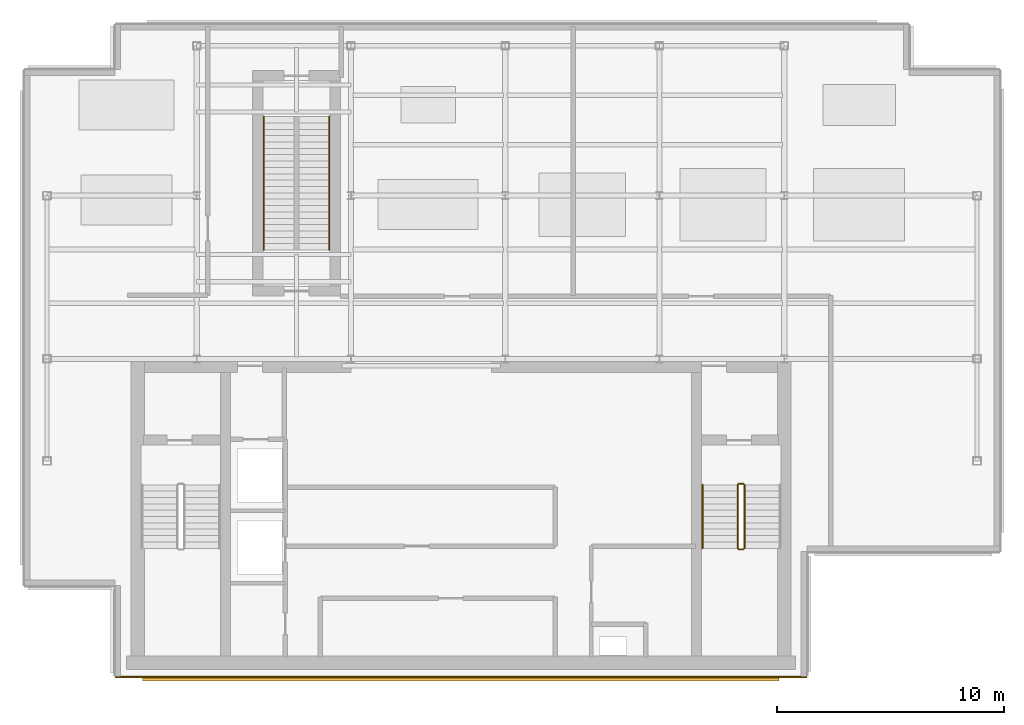
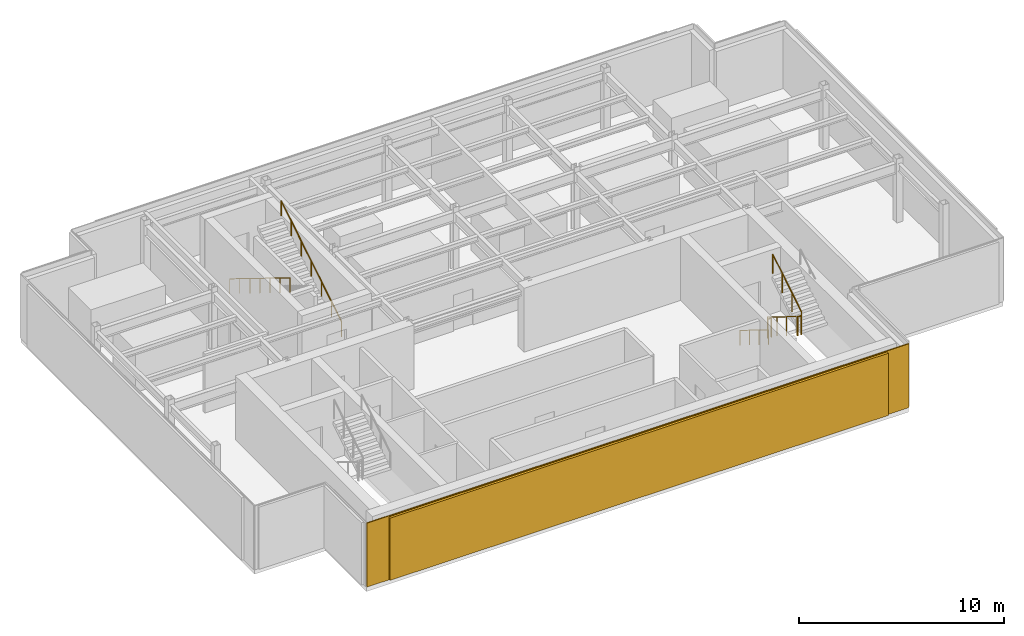
# One storey, part 5 of 7: 7 railings, 1 covering, 1 shading device.
"""IFC4 building model written with IfcOpenShell, lengths in metres."""

from ifc_helpers import new_model, si_unit, derived_unit, direction, frame, origin, origin_2d, place, context, subcontext, project, spatial, rectangle, circle, extrude, source, transform, mapped, material, layer, layer_set, type_object, element, save


model = new_model("IFC4")

# Units and contexts
model_context = context("Model", 3, precision=1e-05, world=origin(), true_north=direction((0.0, 1.0)))
body_context = subcontext(model_context, "Body", "Model", "MODEL_VIEW")
ifc_project = project(units=[si_unit("LENGTHUNIT", "METRE"), si_unit("AREAUNIT", "SQUARE_METRE"), si_unit("VOLUMEUNIT", "CUBIC_METRE"), si_unit("PLANEANGLEUNIT", "RADIAN"), si_unit("MASSUNIT", "GRAM", prefix="KILO"), derived_unit("THERMALTRANSMITTANCEUNIT", [(si_unit("POWERUNIT", "WATT"), 1), (si_unit("LENGTHUNIT", "METRE"), -2), (si_unit("THERMODYNAMICTEMPERATUREUNIT", "KELVIN"), -1)])], contexts=[model_context])

# Site, building, storey
site_placement = place(None, origin())
site = spatial("IfcSite", under=ifc_project, at=site_placement, CompositionType="ELEMENT")
building_placement = place(site_placement, origin())
building = spatial("IfcBuilding", under=site, at=building_placement, Name="Skarnbrae Concourse Arena and Tower", CompositionType="ELEMENT")
storey_placement = place(building_placement, frame((0.0, 0.0, 299.85009765625)))
storey = spatial("IfcBuildingStorey", under=building, at=storey_placement, Name="L78", CompositionType="ELEMENT", Elevation=299.85009765625)

# Railings
ifc_material_1 = material(Name="Steel CSA G40.21 350W", Category="steel")
railing_type_1 = type_object("IfcRailingType", Name="RAIL-HANDRAIL-900", PredefinedType="HANDRAIL", material=ifc_material_1)
railing_1_placement = place(storey_placement, frame((29.89990234375, 8.449951171875, 0.172607421875)))
element("IfcRailing", 1, at=railing_1_placement, inside=storey, type_object=railing_type_1, Name="L78 ST-2 stair handrail 1", PredefinedType="HANDRAIL", context=body_context, shape_type="SweptSolid", body=[
    extrude(circle(Radius=0.02392578125, at=origin_2d()), frame((0.0, 0.0, 0.8759765625), z_axis=(0.0, -0.851089632645, 0.525020415988), x_axis=(1.0, 0.0, 0.0)), (0.0, 0.0, 1.0), 3.2900390625),
    extrude(circle(Radius=0.02099609375, at=origin_2d()), origin(), (0.0, 0.0, 1.0), 0.851806640625),
    extrude(circle(Radius=0.02099609375, at=origin_2d()), frame((0.0, -0.933349609375, 0.57568359375)), (0.0, 0.0, 1.0), 0.851806640625),
    extrude(circle(Radius=0.02099609375, at=origin_2d()), frame((0.0, -1.86669921875, 1.151611328125)), (0.0, 0.0, 1.0), 0.851806640625),
    extrude(circle(Radius=0.02099609375, at=origin_2d()), frame((0.0, -2.800048828125, 1.727294921875)), (0.0, 0.0, 1.0), 0.851806640625),
])
railing_2_placement = place(storey_placement, frame((13.449951171875, 18.800048828125, 0.172607421875)))
element("IfcRailing", 2, at=railing_2_placement, inside=storey, type_object=railing_type_1, Name="L78 ST-CRWN stair handrail 1", PredefinedType="HANDRAIL", context=body_context, shape_type="SweptSolid", body=[
    extrude(circle(Radius=0.02392578125, at=origin_2d()), frame((0.0, 0.0, 0.8759765625), z_axis=(0.0, 0.851088761127, 0.525021828769), x_axis=(-1.0, 0.0, 0.0)), (0.0, 0.0, 1.0), 6.90869140625),
    extrude(circle(Radius=0.02099609375, at=origin_2d()), origin(), (0.0, 0.0, 1.0), 0.851806640625),
    extrude(circle(Radius=0.02099609375, at=origin_2d()), frame((0.0, 0.97998046875, 0.6044921875)), (0.0, 0.0, 1.0), 0.851806640625),
    extrude(circle(Radius=0.02099609375, at=origin_2d()), frame((0.0, 1.9599609375, 1.208984375)), (0.0, 0.0, 1.0), 0.851806640625),
    extrude(circle(Radius=0.02099609375, at=origin_2d()), frame((0.0, 2.93994140625, 1.8134765625)), (0.0, 0.0, 1.0), 0.851806640625),
    extrude(circle(Radius=0.02099609375, at=origin_2d()), frame((0.0, 3.919921875, 2.418212890625)), (0.0, 0.0, 1.0), 0.851806640625),
    extrude(circle(Radius=0.02099609375, at=origin_2d()), frame((0.0, 4.89990234375, 3.022705078125)), (0.0, 0.0, 1.0), 0.851806640625),
    extrude(circle(Radius=0.02099609375, at=origin_2d()), frame((0.0, 5.8798828125, 3.627197265625)), (0.0, 0.0, 1.0), 0.851806640625),
])
railing_3_placement = place(storey_placement, frame((10.550048828125, 24.679931640625, 0.172607421875)))
element("IfcRailing", 3, at=railing_3_placement, inside=storey, type_object=railing_type_1, Name="L78 ST-CRWN stair handrail 1", PredefinedType="HANDRAIL", context=body_context, shape_type="SweptSolid", body=[
    extrude(circle(Radius=0.02392578125, at=origin_2d()), frame((0.0, 0.0, 0.8759765625), z_axis=(0.0, -0.851088761127, 0.525021828769), x_axis=(1.0, 0.0, 0.0)), (0.0, 0.0, 1.0), 6.90869140625),
    extrude(circle(Radius=0.02099609375, at=origin_2d()), origin(), (0.0, 0.0, 1.0), 0.851806640625),
    extrude(circle(Radius=0.02099609375, at=origin_2d()), frame((0.0, -0.97998046875, 0.6044921875)), (0.0, 0.0, 1.0), 0.851806640625),
    extrude(circle(Radius=0.02099609375, at=origin_2d()), frame((0.0, -1.9599609375, 1.208984375)), (0.0, 0.0, 1.0), 0.851806640625),
    extrude(circle(Radius=0.02099609375, at=origin_2d()), frame((0.0, -2.93994140625, 1.8134765625)), (0.0, 0.0, 1.0), 0.851806640625),
    extrude(circle(Radius=0.02099609375, at=origin_2d()), frame((0.0, -3.919921875, 2.418212890625)), (0.0, 0.0, 1.0), 0.851806640625),
    extrude(circle(Radius=0.02099609375, at=origin_2d()), frame((0.0, -4.89990234375, 3.022705078125)), (0.0, 0.0, 1.0), 0.851806640625),
    extrude(circle(Radius=0.02099609375, at=origin_2d()), frame((0.0, -5.8798828125, 3.627197265625)), (0.0, 0.0, 1.0), 0.851806640625),
])
railing_type_2 = type_object("IfcRailingType", Name="RAIL-STAIR-GUARD-1150", PredefinedType="GUARDRAIL", material=ifc_material_1)
railing_4_placement = place(storey_placement, frame((31.449951171875, 8.449951171875, 0.172607421875)))
element("IfcRailing", 4, at=railing_4_placement, inside=storey, type_object=railing_type_2, Name="L78 ST-2 stair guard 1", PredefinedType="GUARDRAIL", context=body_context, shape_type="SweptSolid", body=[
    extrude(circle(Radius=0.02392578125, at=origin_2d()), frame((0.0, 0.0, 1.1259765625), z_axis=(0.0, -0.851089632645, 0.525020415988), x_axis=(1.0, 0.0, 0.0)), (0.0, 0.0, 1.0), 3.2900390625),
    extrude(circle(Radius=0.02099609375, at=origin_2d()), origin(), (0.0, 0.0, 1.0), 1.101806640625),
    extrude(circle(Radius=0.02099609375, at=origin_2d()), frame((0.0, -0.933349609375, 0.57568359375)), (0.0, 0.0, 1.0), 1.101806640625),
    extrude(circle(Radius=0.02099609375, at=origin_2d()), frame((0.0, -1.86669921875, 1.151611328125)), (0.0, 0.0, 1.0), 1.101806640625),
    extrude(circle(Radius=0.02099609375, at=origin_2d()), frame((0.0, -2.800048828125, 1.727294921875)), (0.0, 0.0, 1.0), 1.101806640625),
])
railing_5_placement = place(storey_placement, frame((31.5, 5.60009765625, 1.89990234375)))
element("IfcRailing", 5, at=railing_5_placement, inside=storey, type_object=railing_type_2, Name="L78 ST-2 stair guard 2", PredefinedType="GUARDRAIL", context=body_context, shape_type="SweptSolid", body=[
    extrude(circle(Radius=0.02392578125, at=origin_2d()), frame((0.0, 0.0, 1.1259765625), z_axis=(1.0, 0.0, 0.0), x_axis=(0.0, 1.0, 0.0)), (0.0, 0.0, 1.0), 0.199951171875),
    extrude(circle(Radius=0.02099609375, at=origin_2d()), origin(), (0.0, 0.0, 1.0), 1.101806640625),
    extrude(circle(Radius=0.02099609375, at=origin_2d()), frame((0.199951171875, 0.0, 0.0)), (0.0, 0.0, 1.0), 1.101806640625),
])
railing_6_placement = place(storey_placement, frame((31.75, 5.64990234375, 2.072509765625)))
element("IfcRailing", 6, at=railing_6_placement, inside=storey, type_object=railing_type_2, Name="L78 ST-2 stair guard 3", PredefinedType="GUARDRAIL", context=body_context, shape_type="SweptSolid", body=[
    extrude(circle(Radius=0.02392578125, at=origin_2d()), frame((0.0, 0.0, 1.1259765625), z_axis=(0.0, 0.851089632645, 0.525020415988), x_axis=(-1.0, 0.0, 0.0)), (0.0, 0.0, 1.0), 3.2900390625),
    extrude(circle(Radius=0.02099609375, at=origin_2d()), origin(), (0.0, 0.0, 1.0), 1.101806640625),
    extrude(circle(Radius=0.02099609375, at=origin_2d()), frame((0.0, 0.933349609375, 0.57568359375)), (0.0, 0.0, 1.0), 1.101806640625),
    extrude(circle(Radius=0.02099609375, at=origin_2d()), frame((0.0, 1.86669921875, 1.151611328125)), (0.0, 0.0, 1.0), 1.101806640625),
    extrude(circle(Radius=0.02099609375, at=origin_2d()), frame((0.0, 2.800048828125, 1.727294921875)), (0.0, 0.0, 1.0), 1.101806640625),
])
railing_7_placement = place(storey_placement, frame((31.5, 8.5, 0.0)))
element("IfcRailing", 7, at=railing_7_placement, inside=storey, type_object=railing_type_2, Name="L78 ST-2 stair guard 4", PredefinedType="GUARDRAIL", context=body_context, shape_type="SweptSolid", body=[
    extrude(circle(Radius=0.02392578125, at=origin_2d()), frame((0.0, 0.0, 1.1259765625), z_axis=(1.0, 0.0, 0.0), x_axis=(0.0, 1.0, 0.0)), (0.0, 0.0, 1.0), 0.199951171875),
    extrude(circle(Radius=0.02099609375, at=origin_2d()), origin(), (0.0, 0.0, 1.0), 1.101806640625),
    extrude(circle(Radius=0.02099609375, at=origin_2d()), frame((0.199951171875, 0.0, 0.0)), (0.0, 0.0, 1.0), 1.101806640625),
])

# Covering
ifc_material_2 = material(Name="Bronze anodised aluminium 6063-T6", Category="aluminium")
ifc_layer = layer(ifc_material_2, 0.06005859375)
ifc_layer_set = layer_set([ifc_layer], Name="Bronze anodised aluminium 6063-T6")
covering_type = type_object("IfcCoveringType", Name="COV-CLAD-BRONZE-60", PredefinedType="CLADDING", material=ifc_layer_set)
shared_shape_1 = source(origin(), body_context, "Body", "SweptSolid", [
    extrude(rectangle(XDim=30.5, YDim=0.06005859375, at=origin_2d()), origin(), (0.0, 0.0, 1.0), 3.800048828125),
])
covering_placement = place(storey_placement, frame((19.25, -0.030029296875, 0.0), z_axis=(0.0, 0.0, 1.0), x_axis=(1.0, 0.0, 0.0)))
element("IfcCovering", 8, at=covering_placement, inside=storey, type_object=covering_type, Name="L78 Bronze crown rainscreen cladding 01", PredefinedType="CLADDING", context=body_context, shape_type="MappedRepresentation", body=[
    mapped(shared_shape_1, transform((0.0, 0.0, 0.0))),
])

# Shading device
shading_device_type = type_object("IfcShadingDeviceType", Name="SHD-BRONZE-LOUVRE-150", PredefinedType="USERDEFINED", material=ifc_material_2)
shared_shape_2 = source(origin(), body_context, "Body", "SweptSolid", [
    extrude(rectangle(XDim=28.06005859375, YDim=0.139892578125, at=origin_2d()), origin(), (0.0, 0.0, 1.0), 3.699951171875),
])
shading_device_placement = place(storey_placement, frame((19.25, -0.1201171875, 0.0498046875), z_axis=(0.0, 0.0, 1.0), x_axis=(1.0, 0.0, 0.0)))
element("IfcShadingDevice", 9, at=shading_device_placement, inside=storey, type_object=shading_device_type, Name="L78 Crown bronze architectural louvre screen 01", ObjectType="LOUVRE", PredefinedType="USERDEFINED", context=body_context, shape_type="MappedRepresentation", body=[
    mapped(shared_shape_2, transform((0.0, 0.0, 0.0))),
])

save(model, "model.ifc")
